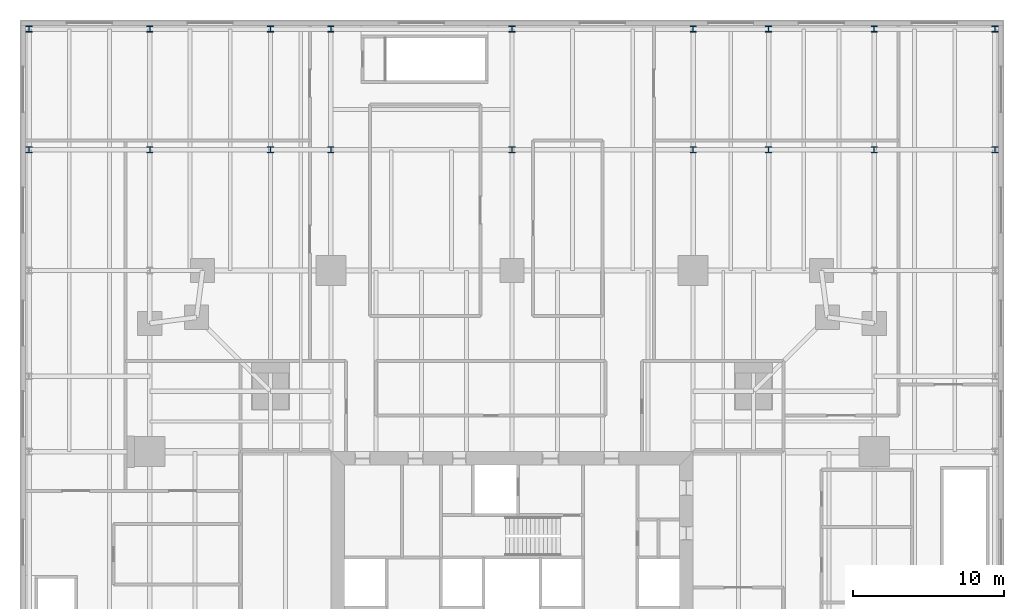
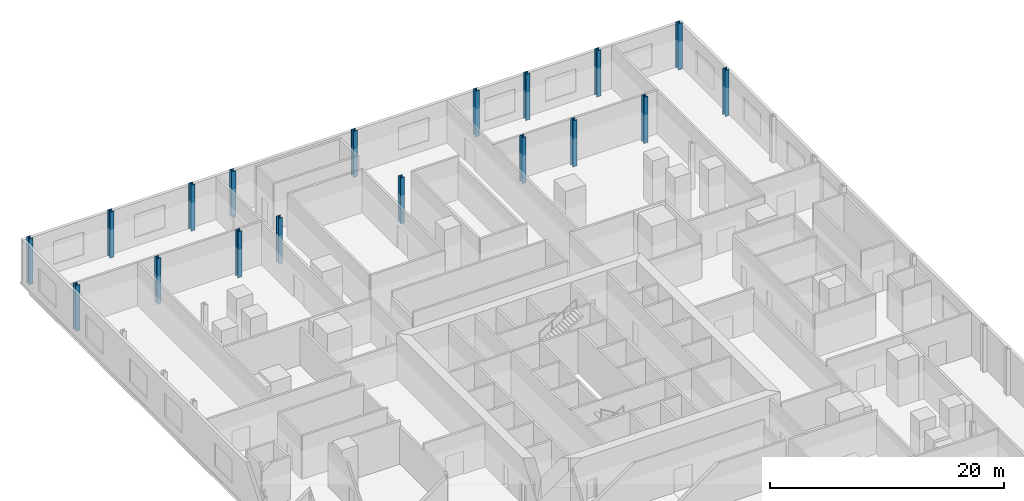
# One storey, part 4 of 15: 18 columns.
"""IFC4 building model written with IfcOpenShell, lengths in metres."""

from ifc_helpers import new_model, si_unit, direction, frame, origin, origin_2d, place, context, subcontext, project, spatial, i_section, extrude, material, material_profile, profile_set, type_object, element, save


model = new_model("IFC4")

# Units and contexts
model_context = context("Model", 3, precision=1e-05, world=origin(), true_north=direction((0.0, 1.0)))
body_context = subcontext(model_context, "Body", "Model", "MODEL_VIEW")
ifc_project = project(units=[si_unit("LENGTHUNIT", "METRE"), si_unit("AREAUNIT", "SQUARE_METRE"), si_unit("VOLUMEUNIT", "CUBIC_METRE"), si_unit("PLANEANGLEUNIT", "RADIAN"), si_unit("MASSUNIT", "GRAM", prefix="KILO")], contexts=[model_context])

# Site, building, storey
site_placement = place(None, origin())
site = spatial("IfcSite", under=ifc_project, at=site_placement, CompositionType="ELEMENT")
building_placement = place(site_placement, origin())
building = spatial("IfcBuilding", under=site, at=building_placement, Name="Fenwick Lantern Interchange", CompositionType="ELEMENT")
storey_placement = place(building_placement, frame((0.0, 0.0, 26.199951171875)))
storey = spatial("IfcBuildingStorey", under=building, at=storey_placement, Name="L05", CompositionType="ELEMENT", Elevation=26.199951171875)

# Columns
ifc_material = material(Name="Steel ASTM A992 Grade 50", Category="steel")
ifc_material_profile = material_profile(ifc_material, i_section(OverallWidth=0.406494140625, OverallDepth=0.41650390625, WebThickness=0.030029296875, FlangeThickness=0.048095703125, at=origin_2d()), Name="W14X257")
ifc_profile_set = profile_set([ifc_material_profile], Name="Steel ASTM A992 Grade 50")
column_type = type_object("IfcColumnType", Name="PODIUM COLUMN W14X257", PredefinedType="COLUMN", material=ifc_profile_set)
for number, where, z_axis, x_axis, name in (
    (1, (-7.0, 57.0, 0.0), (0.0, 0.0, 1.0), (1.0, 0.0, 0.0), "L05/PK2"),
    (2, (-7.0, 65.0, 0.0), (0.0, 0.0, 1.0), (1.0, 0.0, 0.0), "L05/PL2"),
    (3, (1.0, 57.0, 0.0), (0.0, 0.0, 1.0), (1.0, 0.0, 0.0), "L05/PK3"),
    (4, (1.0, 65.0, 0.0), (0.0, 0.0, 1.0), (1.0, 0.0, 0.0), "L05/PL3"),
    (5, (9.0, 57.0, 0.0), (0.0, 0.0, 1.0), (1.0, 0.0, 0.0), "L05/PK4"),
    (6, (9.0, 65.0, 0.0), (0.0, 0.0, 1.0), (1.0, 0.0, 0.0), "L05/PL4"),
    (7, (13.0, 57.0, 0.0), (0.0, 0.0, 1.0), (1.0, 0.0, 0.0), "L05/PK5"),
    (8, (13.0, 65.0, 0.0), (0.0, 0.0, 1.0), (1.0, 0.0, 0.0), "L05/PL5"),
    (9, (25.0, 57.0, 0.0), (0.0, 0.0, 1.0), (1.0, 0.0, 0.0), "L05/PK6"),
    (10, (25.0, 65.0, 0.0), (0.0, 0.0, 1.0), (1.0, 0.0, 0.0), "L05/PL6"),
    (11, (37.0, 57.0, 0.0), (0.0, 0.0, 1.0), (1.0, 0.0, 0.0), "L05/PK7"),
    (12, (37.0, 65.0, 0.0), (0.0, 0.0, 1.0), (1.0, 0.0, 0.0), "L05/PL7"),
    (13, (42.0, 57.0, 0.0), (0.0, 0.0, 1.0), (1.0, 0.0, 0.0), "L05/PK8"),
    (14, (42.0, 65.0, 0.0), (0.0, 0.0, 1.0), (1.0, 0.0, 0.0), "L05/PL8"),
    (15, (49.0, 57.0, 0.0), (0.0, 0.0, 1.0), (1.0, 0.0, 0.0), "L05/PK9"),
    (16, (49.0, 65.0, 0.0), (0.0, 0.0, 1.0), (1.0, 0.0, 0.0), "L05/PL9"),
    (17, (57.0, 57.0, 0.0), (0.0, 0.0, 1.0), (1.0, 0.0, 0.0), "L05/PK10"),
    (18, (57.0, 65.0, 0.0), (0.0, 0.0, 1.0), (1.0, 0.0, 0.0), "L05/PL10"),
):
    element("IfcColumn", number, at=place(storey_placement, frame(where, z_axis=z_axis, x_axis=x_axis)), inside=storey, type_object=column_type, Name=name, PredefinedType="COLUMN", context=body_context, shape_type="SweptSolid", body=[
        extrude(i_section(OverallWidth=0.406494140625, OverallDepth=0.41650390625, WebThickness=0.030029296875, FlangeThickness=0.048095703125, at=origin_2d()), origin(), (0.0, 0.0, 1.0), 4.800048828125),
    ])

save(model, "model.ifc")
